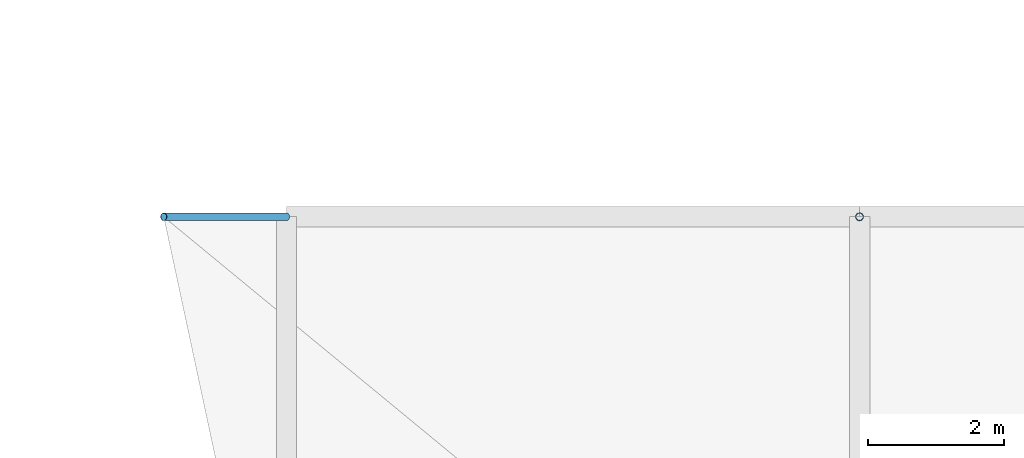
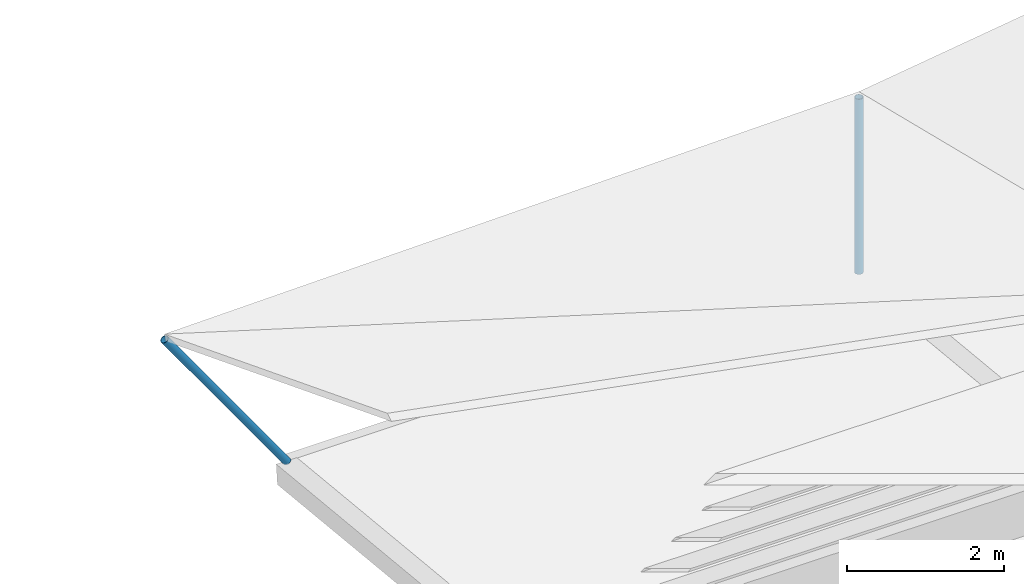
# One storey, part 11 of 46: 2 discrete accessories.
"""IFC4 building model written with IfcOpenShell, lengths in metres."""

from ifc_helpers import new_model, si_unit, direction, frame, origin, origin_2d, place, context, subcontext, project, spatial, hollow_circle, extrude, material, material_profile, profile_set, type_object, element, save


model = new_model("IFC4")

# Units and contexts
model_context = context("Model", 3, precision=1e-05, world=origin(), true_north=direction((0.0, 1.0)))
body_context = subcontext(model_context, "Body", "Model", "MODEL_VIEW")
ifc_project = project(units=[si_unit("LENGTHUNIT", "METRE"), si_unit("AREAUNIT", "SQUARE_METRE"), si_unit("VOLUMEUNIT", "CUBIC_METRE"), si_unit("PLANEANGLEUNIT", "RADIAN"), si_unit("MASSUNIT", "GRAM", prefix="KILO")], contexts=[model_context])

# Site, building, storey
site_placement = place(None, origin())
site = spatial("IfcSite", under=ifc_project, at=site_placement, CompositionType="ELEMENT")
building_placement = place(site_placement, origin())
building = spatial("IfcBuilding", under=site, at=building_placement, Name="Rain Tree Exposition and Congress Centre", CompositionType="ELEMENT")
storey_placement = place(building_placement, frame((0.0, 0.0, 27.0)))
storey = spatial("IfcBuildingStorey", under=building, at=storey_placement, Name="ROOF VAULT CREST", CompositionType="ELEMENT", Elevation=27.0)

# Discrete accessories
ifc_material = material(Name="Steel S355J2H", Category="steel")
ifc_material_profile = material_profile(ifc_material, hollow_circle(Radius=0.05712890625, WallThickness=0.00439453125, at=origin_2d()), Name="CHS 114x4.5")
ifc_profile_set = profile_set([ifc_material_profile], Name="Steel S355J2H")
discrete_accessory_type = type_object("IfcDiscreteAccessoryType", Name="Roof skin post CHS 114x4.5", PredefinedType="BRACKET", material=ifc_profile_set)
discrete_accessory_1_placement = place(storey_placement, frame((142.800048828125, 134.39990234375, 0.551025390625), z_axis=(-0.580351794761, 0.0, 0.814365884795), x_axis=(0.0, -1.0, 0.0)))
element("IfcDiscreteAccessory", 1, at=discrete_accessory_1_placement, inside=storey, type_object=discrete_accessory_type, Name="Roof skin post B53", PredefinedType="BRACKET", context=body_context, shape_type="SweptSolid", body=[
    extrude(hollow_circle(Radius=0.05712890625, WallThickness=0.00439453125, at=origin_2d()), origin(), (0.0, 0.0, 1.0), 3.1015625),
])
discrete_accessory_2_placement = place(storey_placement, frame((151.199951171875, 134.39990234375, 0.551025390625), z_axis=(0.0, 0.0, 1.0), x_axis=(1.0, 0.0, 0.0)))
element("IfcDiscreteAccessory", 2, at=discrete_accessory_2_placement, inside=storey, type_object=discrete_accessory_type, Name="Roof skin post B54", PredefinedType="BRACKET", context=body_context, shape_type="SweptSolid", body=[
    extrude(hollow_circle(Radius=0.05712890625, WallThickness=0.00439453125, at=origin_2d()), origin(), (0.0, 0.0, 1.0), 2.719970703125),
])

save(model, "model.ifc")
